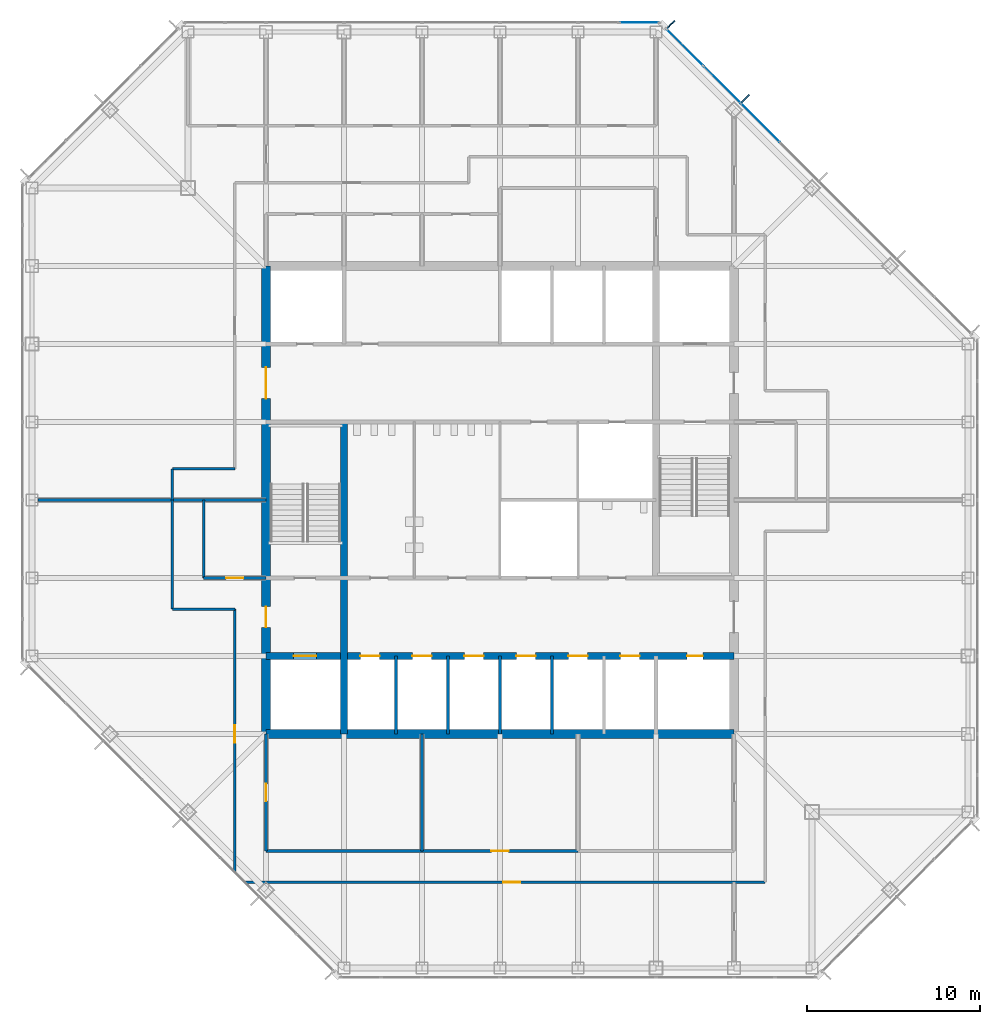
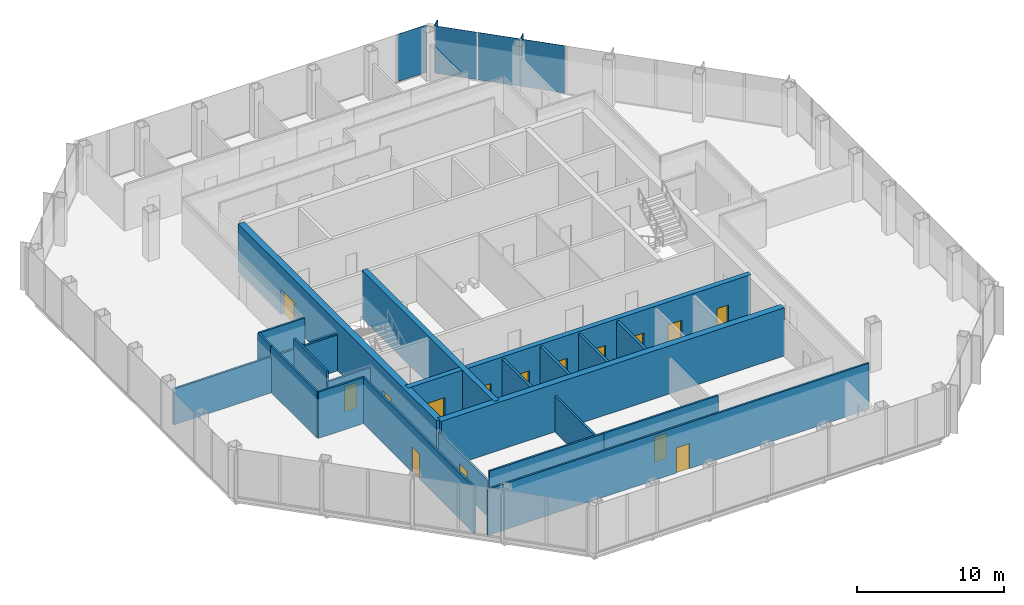
# One storey, part 8 of 13: 21 walls, 15 doors, 6 plates, 15 openings, 2 elements without a shape of their own.
"""IFC4 building model written with IfcOpenShell, lengths in metres."""

from ifc_helpers import new_model, si_unit, direction, frame, frame_2d, origin, origin_2d, place, context, subcontext, project, spatial, rectangle, extrude, material, layer, layer_set, type_object, element, fill, aggregate, save


model = new_model("IFC4")

# Units and contexts
model_context = context("Model", 3, precision=1e-05, world=origin(), true_north=direction((0.0, 1.0)))
body_context = subcontext(model_context, "Body", "Model", "MODEL_VIEW")
ifc_project = project(units=[si_unit("LENGTHUNIT", "METRE"), si_unit("AREAUNIT", "SQUARE_METRE"), si_unit("VOLUMEUNIT", "CUBIC_METRE"), si_unit("PLANEANGLEUNIT", "RADIAN"), si_unit("MASSUNIT", "GRAM", prefix="KILO")], contexts=[model_context])

# Site, building, storey
site_placement = place(None, origin())
site = spatial("IfcSite", under=ifc_project, at=site_placement, CompositionType="ELEMENT")
building_placement = place(site_placement, origin())
building = spatial("IfcBuilding", under=site, at=building_placement, Name="Corais Broadcast Tower", CompositionType="ELEMENT")
storey_placement = place(building_placement, frame((0.0, 0.0, 171.60009765625)))
storey = spatial("IfcBuildingStorey", under=building, at=storey_placement, Name="L39", CompositionType="ELEMENT", Elevation=171.60009765625)

# Curtain wall, plates
ifc_material_1 = material(Name="Aluminium and glass", Category="aluminium")
curtain_wall_type = type_object("IfcCurtainWallType", Name="Unitised fritted curtain wall CW2", PredefinedType="NOTDEFINED", material=ifc_material_1)
curtain_wall_1_placement = place(storey_placement, origin())
curtain_wall_1 = element("IfcCurtainWall", 1, at=curtain_wall_1_placement, inside=storey, type_object=curtain_wall_type, Name="CW2 curtain wall L39 5", PredefinedType="NOTDEFINED")
ifc_material_2 = material(Name="Ceramic-fritted laminated glass", Category="glass")
ifc_layer_1 = layer(ifc_material_2, 0.028076171875)
ifc_layer_set_1 = layer_set([ifc_layer_1], Name="Ceramic-fritted laminated glass")
plate_type_1 = type_object("IfcPlateType", Name="Fritted glass panel CW2", PredefinedType="CURTAIN_PANEL", material=ifc_layer_set_1)
plate_1_placement = place(storey_placement, frame((37.669677734375, 53.108154296875, 0.06494140625), z_axis=(0.0, 0.0, 1.0), x_axis=(0.707106781187, -0.707106781187, 0.0)))
plate_1 = element("IfcPlate", 2, at=plate_1_placement, type_object=plate_type_1, Name="CW2 panel 1", PredefinedType="CURTAIN_PANEL", context=body_context, shape_type="SweptSolid", body=[
    extrude(rectangle(XDim=2.9482421875, YDim=0.028076171875, at=origin_2d()), origin(), (0.0, 0.0, 1.0), 3.93505859375),
])
plate_2_placement = place(storey_placement, frame((42.013916015625, 48.763916015625, 0.06494140625), z_axis=(0.0, 0.0, 1.0), x_axis=(0.707106781187, -0.707106781187, 0.0)))
plate_2 = element("IfcPlate", 3, at=plate_2_placement, type_object=plate_type_1, Name="CW2 panel 3", PredefinedType="CURTAIN_PANEL", context=body_context, shape_type="SweptSolid", body=[
    extrude(rectangle(XDim=3.116943359375, YDim=0.028076171875, at=origin_2d()), origin(), (0.0, 0.0, 1.0), 3.93505859375),
])

# Curtain wall, plate
curtain_wall_2_placement = place(storey_placement, origin())
curtain_wall_2 = element("IfcCurtainWall", 4, at=curtain_wall_2_placement, inside=storey, type_object=curtain_wall_type, Name="CW2 curtain wall L39 4", PredefinedType="NOTDEFINED")
ifc_material_3 = material(Name="Clear laminated glass", Category="glass")
ifc_layer_2 = layer(ifc_material_3, 0.031982421875)
ifc_layer_set_2 = layer_set([ifc_layer_2], Name="Clear laminated glass")
plate_type_2 = type_object("IfcPlateType", Name="Operable glass panel CW2", PredefinedType="CURTAIN_PANEL", material=ifc_layer_set_2)
plate_3_placement = place(storey_placement, frame((35.029541015625, 54.550048828125, 0.06494140625), z_axis=(0.0, 0.0, 1.0), x_axis=(1.0, 0.0, 0.0)))
plate_3 = element("IfcPlate", 5, at=plate_3_placement, type_object=plate_type_2, Name="CW2 operable panel 8", PredefinedType="CURTAIN_PANEL", context=body_context, shape_type="SweptSolid", body=[
    extrude(rectangle(XDim=2.266357421875, YDim=0.031982421875, at=origin_2d()), origin(), (0.0, 0.0, 1.0), 3.93505859375),
])
aggregate(curtain_wall_2, [plate_3])

# Plate
plate_4_placement = place(storey_placement, frame((39.81201171875, 50.9658203125, 0.06494140625), z_axis=(0.0, 0.0, 1.0), x_axis=(0.707106781187, -0.707106781187, 0.0)))
plate_4 = element("IfcPlate", 6, at=plate_4_placement, type_object=plate_type_2, Name="CW2 operable panel 2", PredefinedType="CURTAIN_PANEL", context=body_context, shape_type="SweptSolid", body=[
    extrude(rectangle(XDim=2.98095703125, YDim=0.031982421875, at=origin_2d()), origin(), (0.0, 0.0, 1.0), 3.93505859375),
])

aggregate(curtain_wall_1, [plate_1, plate_4, plate_2])

# Plates
ifc_material_4 = material(Name="Granite stone cladding", Category="masonry")
ifc_layer_3 = layer(ifc_material_4, 0.080078125)
ifc_layer_set_3 = layer_set([ifc_layer_3], Name="Granite stone cladding")
plate_type_3 = type_object("IfcPlateType", Name="Stone screen fin 80x600", PredefinedType="USERDEFINED", material=ifc_layer_set_3)
for number, where, z_axis, x_axis, name in (
    (7, (36.8779296875, 54.447021484375, 0.0), (0.0, 0.0, 1.0), (0.707106781187, -0.707106781187, 0.0), "SF1 stone screen fin L39"),
    (8, (41.16259765625, 50.16259765625, 0.0), (0.0, 0.0, 1.0), (0.707106781187, -0.707106781187, 0.0), "SF1 stone screen fin L39"),
):
    element("IfcPlate", number, at=place(storey_placement, frame(where, z_axis=z_axis, x_axis=x_axis)), inside=storey, type_object=plate_type_3, Name=name, ObjectType="STONE SCREEN FIN", PredefinedType="USERDEFINED", context=body_context, shape_type="SweptSolid", body=[
        extrude(rectangle(XDim=0.080078125, YDim=0.60009765625, at=origin_2d()), origin(), (0.0, 0.0, 1.0), 4.0),
    ])

# Wall
ifc_material_5 = material(Name="Concrete C50/60", Category="concrete")
ifc_layer_4 = layer(ifc_material_5, 0.39990234375)
ifc_layer_set_4 = layer_set([ifc_layer_4], Name="Concrete C50/60")
wall_type_1 = type_object("IfcWallType", Name="Core wall 400", PredefinedType="SHEAR", material=ifc_layer_set_4)
wall_1_placement = place(storey_placement, frame((18.0, 13.5, 0.0), z_axis=(0.0, 0.0, 1.0), x_axis=(0.0, 1.0, 0.0)))
element("IfcWall", 9, at=wall_1_placement, inside=storey, type_object=wall_type_1, Name="CR400 core wall X18A L39", PredefinedType="SHEAR", context=body_context, shape_type="SweptSolid", body=[
    extrude(rectangle(XDim=18.0, YDim=0.39990234375, at=frame_2d((9.0, 0.0))), origin(), (0.0, 0.0, 1.0), 4.0),
])

# Wall, openings, doors
wall_2_placement = place(storey_placement, frame((13.5, 18.0, 0.0), z_axis=(0.0, 0.0, 1.0), x_axis=(1.0, 0.0, 0.0)))
wall_2 = element("IfcWall", 10, at=wall_2_placement, inside=storey, type_object=wall_type_1, Name="CR400 core wall Y18 L39", PredefinedType="SHEAR", context=body_context, shape_type="SweptSolid", body=[
    extrude(rectangle(XDim=27.0, YDim=0.39990234375, at=frame_2d((13.5, 0.0))), origin(), (0.0, 0.0, 1.0), 4.0),
])
opening_1_placement = place(wall_2_placement, frame((24.300048828125, 0.0, 0.0)))
opening_1 = element("IfcOpeningElement", 11, at=opening_1_placement, cuts=wall_2, Name="Opening RD1", PredefinedType="OPENING", context=body_context, shape_type="SweptSolid", body=[
    extrude(rectangle(XDim=0.89990234375, YDim=2.10009765625, at=frame_2d((0.449951171875, 1.050048828125))), frame((0.0, 0.2099609375, 0.0), z_axis=(0.0, -1.0, 0.0), x_axis=(1.0, 0.0, 0.0)), (0.0, 0.0, 1.0), 0.419921875),
])
opening_2_placement = place(wall_2_placement, frame((5.449951171875, 0.0, 0.0)))
opening_2 = element("IfcOpeningElement", 12, at=opening_2_placement, cuts=wall_2, Name="Opening LD1", PredefinedType="OPENING", context=body_context, shape_type="SweptSolid", body=[
    extrude(rectangle(XDim=1.10009765625, YDim=2.10009765625, at=frame_2d((0.550048828125, 1.050048828125))), frame((0.0, 0.2099609375, 0.0), z_axis=(0.0, -1.0, 0.0), x_axis=(1.0, 0.0, 0.0)), (0.0, 0.0, 1.0), 0.419921875),
])
opening_3_placement = place(wall_2_placement, frame((8.449951171875, 0.0, 0.0)))
opening_3 = element("IfcOpeningElement", 13, at=opening_3_placement, cuts=wall_2, Name="Opening LD1", PredefinedType="OPENING", context=body_context, shape_type="SweptSolid", body=[
    extrude(rectangle(XDim=1.10009765625, YDim=2.10009765625, at=frame_2d((0.550048828125, 1.050048828125))), frame((0.0, 0.2099609375, 0.0), z_axis=(0.0, -1.0, 0.0), x_axis=(1.0, 0.0, 0.0)), (0.0, 0.0, 1.0), 0.419921875),
])
opening_4_placement = place(wall_2_placement, frame((11.449951171875, 0.0, 0.0)))
opening_4 = element("IfcOpeningElement", 14, at=opening_4_placement, cuts=wall_2, Name="Opening LD1", PredefinedType="OPENING", context=body_context, shape_type="SweptSolid", body=[
    extrude(rectangle(XDim=1.10009765625, YDim=2.10009765625, at=frame_2d((0.550048828125, 1.050048828125))), frame((0.0, 0.2099609375, 0.0), z_axis=(0.0, -1.0, 0.0), x_axis=(1.0, 0.0, 0.0)), (0.0, 0.0, 1.0), 0.419921875),
])
opening_5_placement = place(wall_2_placement, frame((14.449951171875, 0.0, 0.0)))
opening_5 = element("IfcOpeningElement", 15, at=opening_5_placement, cuts=wall_2, Name="Opening LD1", PredefinedType="OPENING", context=body_context, shape_type="SweptSolid", body=[
    extrude(rectangle(XDim=1.10009765625, YDim=2.10009765625, at=frame_2d((0.550048828125, 1.050048828125))), frame((0.0, 0.2099609375, 0.0), z_axis=(0.0, -1.0, 0.0), x_axis=(1.0, 0.0, 0.0)), (0.0, 0.0, 1.0), 0.419921875),
])
opening_6_placement = place(wall_2_placement, frame((17.449951171875, 0.0, 0.0)))
opening_6 = element("IfcOpeningElement", 16, at=opening_6_placement, cuts=wall_2, Name="Opening LD1", PredefinedType="OPENING", context=body_context, shape_type="SweptSolid", body=[
    extrude(rectangle(XDim=1.10009765625, YDim=2.10009765625, at=frame_2d((0.550048828125, 1.050048828125))), frame((0.0, 0.2099609375, 0.0), z_axis=(0.0, -1.0, 0.0), x_axis=(1.0, 0.0, 0.0)), (0.0, 0.0, 1.0), 0.419921875),
])
opening_7_placement = place(wall_2_placement, frame((20.449951171875, 0.0, 0.0)))
opening_7 = element("IfcOpeningElement", 17, at=opening_7_placement, cuts=wall_2, Name="Opening LD1", PredefinedType="OPENING", context=body_context, shape_type="SweptSolid", body=[
    extrude(rectangle(XDim=1.10009765625, YDim=2.10009765625, at=frame_2d((0.550048828125, 1.050048828125))), frame((0.0, 0.2099609375, 0.0), z_axis=(0.0, -1.0, 0.0), x_axis=(1.0, 0.0, 0.0)), (0.0, 0.0, 1.0), 0.419921875),
])
opening_8_placement = place(wall_2_placement, frame((1.60009765625, 0.0, 0.0)))
opening_8 = element("IfcOpeningElement", 18, at=opening_8_placement, cuts=wall_2, Name="Opening LD2", PredefinedType="OPENING", context=body_context, shape_type="SweptSolid", body=[
    extrude(rectangle(XDim=1.300048828125, YDim=2.199951171875, at=frame_2d((0.64990234375, 1.10009765625))), frame((0.0, 0.2099609375, 0.0), z_axis=(0.0, -1.0, 0.0), x_axis=(1.0, 0.0, 0.0)), (0.0, 0.0, 1.0), 0.419921875),
])
ifc_material_6 = material(Name="Stainless steel lift door", Category="steel")
door_type_1 = type_object("IfcDoorType", Name="Lift landing door 1100x2100", OperationType="SLIDING_TO_LEFT", PredefinedType="DOOR", material=ifc_material_6)
door_1_placement = place(opening_2_placement, origin())
door_1 = element("IfcDoor", 19, at=door_1_placement, inside=storey, type_object=door_type_1, Name="LD1 PM1 landing door L39", OperationType="SLIDING_TO_LEFT", OverallHeight=2.10009765625, OverallWidth=1.10009765625, PredefinedType="DOOR", context=body_context, shape_type="SweptSolid", body=[
    extrude(rectangle(XDim=1.10009765625, YDim=2.10009765625, at=frame_2d((0.550048828125, 1.050048828125))), frame((0.0, 0.02490234375, 0.0), z_axis=(0.0, -1.0, 0.0), x_axis=(1.0, 0.0, 0.0)), (0.0, 0.0, 1.0), 0.050048828125),
])
fill(opening_2, door_1)
door_2_placement = place(opening_3_placement, origin())
door_2 = element("IfcDoor", 20, at=door_2_placement, inside=storey, type_object=door_type_1, Name="LD1 PM2 landing door L39", OperationType="SLIDING_TO_LEFT", OverallHeight=2.10009765625, OverallWidth=1.10009765625, PredefinedType="DOOR", context=body_context, shape_type="SweptSolid", body=[
    extrude(rectangle(XDim=1.10009765625, YDim=2.10009765625, at=frame_2d((0.550048828125, 1.050048828125))), frame((0.0, 0.02490234375, 0.0), z_axis=(0.0, -1.0, 0.0), x_axis=(1.0, 0.0, 0.0)), (0.0, 0.0, 1.0), 0.050048828125),
])
fill(opening_3, door_2)
door_3_placement = place(opening_4_placement, origin())
door_3 = element("IfcDoor", 21, at=door_3_placement, inside=storey, type_object=door_type_1, Name="LD1 PM3 landing door L39", OperationType="SLIDING_TO_LEFT", OverallHeight=2.10009765625, OverallWidth=1.10009765625, PredefinedType="DOOR", context=body_context, shape_type="SweptSolid", body=[
    extrude(rectangle(XDim=1.10009765625, YDim=2.10009765625, at=frame_2d((0.550048828125, 1.050048828125))), frame((0.0, 0.02490234375, 0.0), z_axis=(0.0, -1.0, 0.0), x_axis=(1.0, 0.0, 0.0)), (0.0, 0.0, 1.0), 0.050048828125),
])
fill(opening_4, door_3)
door_4_placement = place(opening_5_placement, origin())
door_4 = element("IfcDoor", 22, at=door_4_placement, inside=storey, type_object=door_type_1, Name="LD1 PM4 landing door L39", OperationType="SLIDING_TO_LEFT", OverallHeight=2.10009765625, OverallWidth=1.10009765625, PredefinedType="DOOR", context=body_context, shape_type="SweptSolid", body=[
    extrude(rectangle(XDim=1.10009765625, YDim=2.10009765625, at=frame_2d((0.550048828125, 1.050048828125))), frame((0.0, 0.02490234375, 0.0), z_axis=(0.0, -1.0, 0.0), x_axis=(1.0, 0.0, 0.0)), (0.0, 0.0, 1.0), 0.050048828125),
])
fill(opening_5, door_4)
door_5_placement = place(opening_6_placement, origin())
door_5 = element("IfcDoor", 23, at=door_5_placement, inside=storey, type_object=door_type_1, Name="LD1 PM5 landing door L39", OperationType="SLIDING_TO_LEFT", OverallHeight=2.10009765625, OverallWidth=1.10009765625, PredefinedType="DOOR", context=body_context, shape_type="SweptSolid", body=[
    extrude(rectangle(XDim=1.10009765625, YDim=2.10009765625, at=frame_2d((0.550048828125, 1.050048828125))), frame((0.0, 0.02490234375, 0.0), z_axis=(0.0, -1.0, 0.0), x_axis=(1.0, 0.0, 0.0)), (0.0, 0.0, 1.0), 0.050048828125),
])
fill(opening_6, door_5)
door_6_placement = place(opening_7_placement, origin())
door_6 = element("IfcDoor", 24, at=door_6_placement, inside=storey, type_object=door_type_1, Name="LD1 PM6 landing door L39", OperationType="SLIDING_TO_LEFT", OverallHeight=2.10009765625, OverallWidth=1.10009765625, PredefinedType="DOOR", context=body_context, shape_type="SweptSolid", body=[
    extrude(rectangle(XDim=1.10009765625, YDim=2.10009765625, at=frame_2d((0.550048828125, 1.050048828125))), frame((0.0, 0.02490234375, 0.0), z_axis=(0.0, -1.0, 0.0), x_axis=(1.0, 0.0, 0.0)), (0.0, 0.0, 1.0), 0.050048828125),
])
fill(opening_7, door_6)
ifc_material_7 = material(Name="Stainless steel lift door", Category="steel")
door_type_2 = type_object("IfcDoorType", Name="Lift landing door 1300x2200", OperationType="SLIDING_TO_LEFT", PredefinedType="DOOR", material=ifc_material_7)
door_7_placement = place(opening_8_placement, origin())
door_7 = element("IfcDoor", 25, at=door_7_placement, inside=storey, type_object=door_type_2, Name="LD2 FL1 landing door L39", OperationType="SLIDING_TO_LEFT", OverallHeight=2.199951171875, OverallWidth=1.300048828125, PredefinedType="DOOR", context=body_context, shape_type="SweptSolid", body=[
    extrude(rectangle(XDim=1.300048828125, YDim=2.199951171875, at=frame_2d((0.64990234375, 1.10009765625))), frame((0.0, 0.02490234375, 0.0), z_axis=(0.0, -1.0, 0.0), x_axis=(1.0, 0.0, 0.0)), (0.0, 0.0, 1.0), 0.050048828125),
])
fill(opening_8, door_7)
ifc_material_8 = material(Name="Steel fire door", Category="steel")
door_type_3 = type_object("IfcDoorType", Name="Riser door 900x2100", OperationType="SINGLE_SWING_LEFT", PredefinedType="DOOR", material=ifc_material_8)
door_8_placement = place(opening_1_placement, origin())
door_8 = element("IfcDoor", 26, at=door_8_placement, inside=storey, type_object=door_type_3, Name="RD1 riser door L39", OperationType="SINGLE_SWING_RIGHT", OverallHeight=2.10009765625, OverallWidth=0.89990234375, PredefinedType="DOOR", context=body_context, shape_type="SweptSolid", body=[
    extrude(rectangle(XDim=0.89990234375, YDim=2.10009765625, at=frame_2d((0.449951171875, 1.050048828125))), frame((0.0, 0.02490234375, 0.0), z_axis=(0.0, -1.0, 0.0), x_axis=(1.0, 0.0, 0.0)), (0.0, 0.0, 1.0), 0.050048828125),
])
fill(opening_1, door_8)

# Wall
ifc_material_9 = material(Name="Concrete C50/60", Category="concrete")
ifc_layer_5 = layer(ifc_material_9, 0.5)
ifc_layer_set_5 = layer_set([ifc_layer_5], Name="Concrete C50/60")
wall_type_2 = type_object("IfcWallType", Name="Core wall 500", PredefinedType="SHEAR", material=ifc_layer_set_5)
wall_3_placement = place(storey_placement, frame((13.5, 13.5, 0.0), z_axis=(0.0, 0.0, 1.0), x_axis=(1.0, 0.0, 0.0)))
element("IfcWall", 27, at=wall_3_placement, inside=storey, type_object=wall_type_2, Name="CR500 core wall S L39", PredefinedType="SHEAR", context=body_context, shape_type="SweptSolid", body=[
    extrude(rectangle(XDim=27.0, YDim=0.5, at=frame_2d((13.5, 0.0))), origin(), (0.0, 0.0, 1.0), 4.0),
])

# Wall, openings, doors
wall_4_placement = place(storey_placement, frame((13.5, 40.5, 0.0), z_axis=(0.0, 0.0, 1.0), x_axis=(0.0, -1.0, 0.0)))
wall_4 = element("IfcWall", 28, at=wall_4_placement, inside=storey, type_object=wall_type_2, Name="CR500 core wall W L39", PredefinedType="SHEAR", context=body_context, shape_type="SweptSolid", body=[
    extrude(rectangle(XDim=27.0, YDim=0.5, at=frame_2d((13.5, 0.0))), origin(), (0.0, 0.0, 1.0), 4.0),
])
opening_9_placement = place(wall_4_placement, frame((19.64990234375, 0.0, 0.0)))
opening_9 = element("IfcOpeningElement", 29, at=opening_9_placement, cuts=wall_4, Name="Opening FD1", PredefinedType="OPENING", context=body_context, shape_type="SweptSolid", body=[
    extrude(rectangle(XDim=1.199951171875, YDim=2.10009765625, at=frame_2d((0.60009765625, 1.050048828125))), frame((0.0, 0.260009765625, 0.0), z_axis=(0.0, -1.0, 0.0), x_axis=(1.0, 0.0, 0.0)), (0.0, 0.0, 1.0), 0.52001953125),
])
opening_10_placement = place(wall_4_placement, frame((5.85009765625, 0.0, 0.0)))
opening_10 = element("IfcOpeningElement", 30, at=opening_10_placement, cuts=wall_4, Name="Opening FD2", PredefinedType="OPENING", context=body_context, shape_type="SweptSolid", body=[
    extrude(rectangle(XDim=1.800048828125, YDim=2.10009765625, at=frame_2d((0.89990234375, 1.050048828125))), frame((0.0, 0.260009765625, 0.0), z_axis=(0.0, -1.0, 0.0), x_axis=(1.0, 0.0, 0.0)), (0.0, 0.0, 1.0), 0.52001953125),
])
ifc_material_10 = material(Name="Steel fire door", Category="steel")
door_type_4 = type_object("IfcDoorType", Name="Fire door 1200x2100", OperationType="SINGLE_SWING_LEFT", PredefinedType="DOOR", material=ifc_material_10)
door_9_placement = place(opening_9_placement, origin())
door_9 = element("IfcDoor", 31, at=door_9_placement, inside=storey, type_object=door_type_4, Name="FD1 fire lobby A door L39", OperationType="SINGLE_SWING_RIGHT", OverallHeight=2.10009765625, OverallWidth=1.199951171875, PredefinedType="DOOR", context=body_context, shape_type="SweptSolid", body=[
    extrude(rectangle(XDim=1.199951171875, YDim=2.10009765625, at=frame_2d((0.60009765625, 1.050048828125))), frame((0.0, 0.02490234375, 0.0), z_axis=(0.0, -1.0, 0.0), x_axis=(1.0, 0.0, 0.0)), (0.0, 0.0, 1.0), 0.050048828125),
])
fill(opening_9, door_9)
ifc_material_11 = material(Name="Steel fire door", Category="steel")
door_type_5 = type_object("IfcDoorType", Name="Fire door pair 1800x2100", OperationType="DOUBLE_DOOR_SINGLE_SWING", PredefinedType="DOOR", material=ifc_material_11)
door_10_placement = place(opening_10_placement, origin())
door_10 = element("IfcDoor", 32, at=door_10_placement, inside=storey, type_object=door_type_5, Name="FD2 lift lobby door L39", OperationType="SINGLE_SWING_LEFT", OverallHeight=2.10009765625, OverallWidth=1.800048828125, PredefinedType="DOOR", context=body_context, shape_type="SweptSolid", body=[
    extrude(rectangle(XDim=1.800048828125, YDim=2.10009765625, at=frame_2d((0.89990234375, 1.050048828125))), frame((0.0, 0.02490234375, 0.0), z_axis=(0.0, -1.0, 0.0), x_axis=(1.0, 0.0, 0.0)), (0.0, 0.0, 1.0), 0.050048828125),
])
fill(opening_10, door_10)

# Walls
ifc_material_12 = material(Name="Two layers of fire-rated gypsum board each side on steel studs", Category="steel")
ifc_layer_6 = layer(ifc_material_12, 0.14990234375)
ifc_layer_set_6 = layer_set([ifc_layer_6], Name="Two layers of fire-rated gypsum board each side on steel studs")
wall_type_3 = type_object("IfcWallType", Name="Fire-rated partition 150 EI 60", PredefinedType="PARTITIONING", material=ifc_layer_set_6)
wall_5_placement = place(storey_placement, frame((0.360107421875, 27.0, 0.0), z_axis=(0.0, 0.0, 1.0), x_axis=(1.0, 0.0, 0.0)))
element("IfcWall", 33, at=wall_5_placement, inside=storey, type_object=wall_type_3, Name="IW7 tenancy wall L39", PredefinedType="PARTITIONING", context=body_context, shape_type="SweptSolid", body=[
    extrude(rectangle(XDim=13.139892578125, YDim=0.14990234375, at=frame_2d((6.56982421875, 0.0))), origin(), (0.0, 0.0, 1.0), 2.989013671875),
])
ifc_material_13 = material(Name="Gypsum board on steel studs", Category="steel")
ifc_layer_7 = layer(ifc_material_13, 0.14990234375)
ifc_layer_set_7 = layer_set([ifc_layer_7], Name="Gypsum board on steel studs")
wall_type_4 = type_object("IfcWallType", Name="Partition 150", PredefinedType="PARTITIONING", material=ifc_layer_set_7)
wall_6_placement = place(storey_placement, frame((11.699951171875, 28.800048828125, 0.0), z_axis=(0.0, 0.0, 1.0), x_axis=(-1.0, 0.0, 0.0)))
element("IfcWall", 34, at=wall_6_placement, inside=storey, type_object=wall_type_4, Name="IW3 corridor wall L39", PredefinedType="PARTITIONING", context=body_context, shape_type="SweptSolid", body=[
    extrude(rectangle(XDim=3.599853515625, YDim=0.14990234375, at=frame_2d((1.7998046875, 0.0))), origin(), (0.0, 0.0, 1.0), 3.83984375),
])
wall_7_placement = place(storey_placement, frame((8.10009765625, 28.800048828125, 0.0), z_axis=(0.0, 0.0, 1.0), x_axis=(0.0, -1.0, 0.0)))
element("IfcWall", 35, at=wall_7_placement, inside=storey, type_object=wall_type_4, Name="IW3 corridor wall L39", PredefinedType="PARTITIONING", context=body_context, shape_type="SweptSolid", body=[
    extrude(rectangle(XDim=1.799560546875, YDim=0.14990234375, at=frame_2d((0.89990234375, 0.0))), origin(), (0.0, 0.0, 1.0), 3.83984375),
])

# Wall, opening, door
wall_8_placement = place(storey_placement, frame((12.314697265625, 4.949951171875, 0.0), z_axis=(0.0, 0.0, 1.0), x_axis=(1.0, 0.0, 0.0)))
wall_8 = element("IfcWall", 36, at=wall_8_placement, inside=storey, type_object=wall_type_4, Name="IW3 corridor wall L39", PredefinedType="PARTITIONING", context=body_context, shape_type="SweptSolid", body=[
    extrude(rectangle(XDim=29.9853515625, YDim=0.14990234375, at=frame_2d((14.99267578125, 0.0))), origin(), (0.0, 0.0, 1.0), 3.83984375),
])
opening_11_placement = place(wall_8_placement, frame((14.8603515625, 0.0, 0.0)))
opening_11 = element("IfcOpeningElement", 37, at=opening_11_placement, cuts=wall_8, Name="Opening D1", PredefinedType="OPENING", context=body_context, shape_type="SweptSolid", body=[
    extrude(rectangle(XDim=1.0, YDim=2.10009765625, at=frame_2d((0.5, 1.050048828125))), frame((0.0, 0.0849609375, 0.0), z_axis=(0.0, -1.0, 0.0), x_axis=(1.0, 0.0, 0.0)), (0.0, 0.0, 1.0), 0.169921875),
])
ifc_material_14 = material(Name="Timber door", Category="wood")
door_type_6 = type_object("IfcDoorType", Name="Single door 1000x2100", OperationType="SINGLE_SWING_LEFT", PredefinedType="DOOR", material=ifc_material_14)
door_11_placement = place(opening_11_placement, origin())
door_11 = element("IfcDoor", 38, at=door_11_placement, inside=storey, type_object=door_type_6, Name="D1 workplace door L39", OperationType="SINGLE_SWING_RIGHT", OverallHeight=2.10009765625, OverallWidth=1.0, PredefinedType="DOOR", context=body_context, shape_type="SweptSolid", body=[
    extrude(rectangle(XDim=1.0, YDim=2.10009765625, at=frame_2d((0.5, 1.050048828125))), frame((0.0, 0.02490234375, 0.0), z_axis=(0.0, -1.0, 0.0), x_axis=(1.0, 0.0, 0.0)), (0.0, 0.0, 1.0), 0.050048828125),
])
fill(opening_11, door_11)

wall_9_placement = place(storey_placement, frame((11.699951171875, 20.699951171875, 0.0), z_axis=(0.0, 0.0, 1.0), x_axis=(0.0, -1.0, 0.0)))
wall_9 = element("IfcWall", 39, at=wall_9_placement, inside=storey, type_object=wall_type_4, Name="IW3 corridor wall L39", PredefinedType="PARTITIONING", context=body_context, shape_type="SweptSolid", body=[
    extrude(rectangle(XDim=15.13525390625, YDim=0.14990234375, at=frame_2d((7.567626953125, 0.0))), origin(), (0.0, 0.0, 1.0), 3.83984375),
])
opening_12_placement = place(wall_9_placement, frame((6.699951171875, 0.0, 0.0)))
opening_12 = element("IfcOpeningElement", 40, at=opening_12_placement, cuts=wall_9, Name="Opening D1", PredefinedType="OPENING", context=body_context, shape_type="SweptSolid", body=[
    extrude(rectangle(XDim=1.0, YDim=2.10009765625, at=frame_2d((0.5, 1.050048828125))), frame((0.0, 0.0849609375, 0.0), z_axis=(0.0, -1.0, 0.0), x_axis=(1.0, 0.0, 0.0)), (0.0, 0.0, 1.0), 0.169921875),
])
door_12_placement = place(opening_12_placement, origin())
door_12 = element("IfcDoor", 41, at=door_12_placement, inside=storey, type_object=door_type_6, Name="D1 workplace door L39", OperationType="SINGLE_SWING_LEFT", OverallHeight=2.10009765625, OverallWidth=1.0, PredefinedType="DOOR", context=body_context, shape_type="SweptSolid", body=[
    extrude(rectangle(XDim=1.0, YDim=2.10009765625, at=frame_2d((0.5, 1.050048828125))), frame((0.0, 0.02490234375, 0.0), z_axis=(0.0, -1.0, 0.0), x_axis=(1.0, 0.0, 0.0)), (0.0, 0.0, 1.0), 0.050048828125),
])
fill(opening_12, door_12)

# Walls
wall_10_placement = place(storey_placement, frame((8.10009765625, 26.99951171875, 0.0), z_axis=(0.0, 0.0, 1.0), x_axis=(0.0, -1.0, 0.0)))
element("IfcWall", 42, at=wall_10_placement, inside=storey, type_object=wall_type_4, Name="IW3 corridor wall L39", PredefinedType="PARTITIONING", context=body_context, shape_type="SweptSolid", body=[
    extrude(rectangle(XDim=6.299560546875, YDim=0.14990234375, at=frame_2d((3.14990234375, 0.0))), origin(), (0.0, 0.0, 1.0), 3.83984375),
])
wall_11_placement = place(storey_placement, frame((8.10009765625, 20.699951171875, 0.0), z_axis=(0.0, 0.0, 1.0), x_axis=(1.0, 0.0, 0.0)))
element("IfcWall", 43, at=wall_11_placement, inside=storey, type_object=wall_type_4, Name="IW3 corridor wall L39", PredefinedType="PARTITIONING", context=body_context, shape_type="SweptSolid", body=[
    extrude(rectangle(XDim=3.599853515625, YDim=0.14990234375, at=frame_2d((1.7998046875, 0.0))), origin(), (0.0, 0.0, 1.0), 3.83984375),
])
wall_12_placement = place(storey_placement, frame((13.5, 6.75, 0.0), z_axis=(0.0, 0.0, 1.0), x_axis=(1.0, 0.0, 0.0)))
element("IfcWall", 44, at=wall_12_placement, inside=storey, type_object=wall_type_4, Name="IW3 partition L39", PredefinedType="PARTITIONING", context=body_context, shape_type="SweptSolid", body=[
    extrude(rectangle(XDim=9.0, YDim=0.14990234375, at=frame_2d((4.5, 0.0))), origin(), (0.0, 0.0, 1.0), 3.83984375),
])
wall_13_placement = place(storey_placement, frame((22.5, 6.75, 0.0), z_axis=(0.0, 0.0, 1.0), x_axis=(0.0, 1.0, 0.0)))
element("IfcWall", 45, at=wall_13_placement, inside=storey, type_object=wall_type_4, Name="IW3 partition L39", PredefinedType="PARTITIONING", context=body_context, shape_type="SweptSolid", body=[
    extrude(rectangle(XDim=6.75, YDim=0.14990234375, at=frame_2d((3.375, 0.0))), origin(), (0.0, 0.0, 1.0), 2.989013671875),
])

# Wall, opening, door
wall_14_placement = place(storey_placement, frame((13.5, 13.5, 0.0), z_axis=(0.0, 0.0, 1.0), x_axis=(0.0, -1.0, 0.0)))
wall_14 = element("IfcWall", 46, at=wall_14_placement, inside=storey, type_object=wall_type_4, Name="IW3 partition L39", PredefinedType="PARTITIONING", context=body_context, shape_type="SweptSolid", body=[
    extrude(rectangle(XDim=6.75, YDim=0.14990234375, at=frame_2d((3.375, 0.0))), origin(), (0.0, 0.0, 1.0), 2.989013671875),
])
opening_13_placement = place(wall_14_placement, frame((2.875, 0.0, 0.0)))
opening_13 = element("IfcOpeningElement", 47, at=opening_13_placement, cuts=wall_14, Name="Opening D1", PredefinedType="OPENING", context=body_context, shape_type="SweptSolid", body=[
    extrude(rectangle(XDim=1.0, YDim=2.10009765625, at=frame_2d((0.5, 1.050048828125))), frame((0.0, 0.0849609375, 0.0), z_axis=(0.0, -1.0, 0.0), x_axis=(1.0, 0.0, 0.0)), (0.0, 0.0, 1.0), 0.169921875),
])
door_13_placement = place(opening_13_placement, origin())
door_13 = element("IfcDoor", 48, at=door_13_placement, inside=storey, type_object=door_type_6, Name="D1 Office door", OperationType="SINGLE_SWING_LEFT", OverallHeight=2.10009765625, OverallWidth=1.0, PredefinedType="DOOR", context=body_context, shape_type="SweptSolid", body=[
    extrude(rectangle(XDim=1.0, YDim=2.10009765625, at=frame_2d((0.5, 1.050048828125))), frame((0.0, 0.02490234375, 0.0), z_axis=(0.0, -1.0, 0.0), x_axis=(1.0, 0.0, 0.0)), (0.0, 0.0, 1.0), 0.050048828125),
])
fill(opening_13, door_13)

wall_15_placement = place(storey_placement, frame((22.5, 6.75, 0.0), z_axis=(0.0, 0.0, 1.0), x_axis=(1.0, 0.0, 0.0)))
wall_15 = element("IfcWall", 49, at=wall_15_placement, inside=storey, type_object=wall_type_4, Name="IW3 partition L39", PredefinedType="PARTITIONING", context=body_context, shape_type="SweptSolid", body=[
    extrude(rectangle(XDim=9.0, YDim=0.14990234375, at=frame_2d((4.5, 0.0))), origin(), (0.0, 0.0, 1.0), 3.83984375),
])
opening_14_placement = place(wall_15_placement, frame((4.0, 0.0, 0.0)))
opening_14 = element("IfcOpeningElement", 50, at=opening_14_placement, cuts=wall_15, Name="Opening D1", PredefinedType="OPENING", context=body_context, shape_type="SweptSolid", body=[
    extrude(rectangle(XDim=1.0, YDim=2.10009765625, at=frame_2d((0.5, 1.050048828125))), frame((0.0, 0.0849609375, 0.0), z_axis=(0.0, -1.0, 0.0), x_axis=(1.0, 0.0, 0.0)), (0.0, 0.0, 1.0), 0.169921875),
])
door_14_placement = place(opening_14_placement, origin())
door_14 = element("IfcDoor", 51, at=door_14_placement, inside=storey, type_object=door_type_6, Name="D1 Office door", OperationType="SINGLE_SWING_LEFT", OverallHeight=2.10009765625, OverallWidth=1.0, PredefinedType="DOOR", context=body_context, shape_type="SweptSolid", body=[
    extrude(rectangle(XDim=1.0, YDim=2.10009765625, at=frame_2d((0.5, 1.050048828125))), frame((0.0, 0.02490234375, 0.0), z_axis=(0.0, -1.0, 0.0), x_axis=(1.0, 0.0, 0.0)), (0.0, 0.0, 1.0), 0.050048828125),
])
fill(opening_14, door_14)

wall_16_placement = place(storey_placement, frame((9.89990234375, 22.5, 0.0), z_axis=(0.0, 0.0, 1.0), x_axis=(1.0, 0.0, 0.0)))
wall_16 = element("IfcWall", 52, at=wall_16_placement, inside=storey, type_object=wall_type_4, Name="IW3 partition L39", PredefinedType="PARTITIONING", context=body_context, shape_type="SweptSolid", body=[
    extrude(rectangle(XDim=3.60009765625, YDim=0.14990234375, at=frame_2d((1.800048828125, 0.0))), origin(), (0.0, 0.0, 1.0), 2.989013671875),
])
opening_15_placement = place(wall_16_placement, frame((1.300048828125, 0.0, 0.0)))
opening_15 = element("IfcOpeningElement", 53, at=opening_15_placement, cuts=wall_16, Name="Opening D1", PredefinedType="OPENING", context=body_context, shape_type="SweptSolid", body=[
    extrude(rectangle(XDim=1.0, YDim=2.10009765625, at=frame_2d((0.5, 1.050048828125))), frame((0.0, 0.0849609375, 0.0), z_axis=(0.0, -1.0, 0.0), x_axis=(1.0, 0.0, 0.0)), (0.0, 0.0, 1.0), 0.169921875),
])
door_15_placement = place(opening_15_placement, origin())
door_15 = element("IfcDoor", 54, at=door_15_placement, inside=storey, type_object=door_type_6, Name="D1 Pantry door", OperationType="SINGLE_SWING_LEFT", OverallHeight=2.10009765625, OverallWidth=1.0, PredefinedType="DOOR", context=body_context, shape_type="SweptSolid", body=[
    extrude(rectangle(XDim=1.0, YDim=2.10009765625, at=frame_2d((0.5, 1.050048828125))), frame((0.0, 0.02490234375, 0.0), z_axis=(0.0, -1.0, 0.0), x_axis=(1.0, 0.0, 0.0)), (0.0, 0.0, 1.0), 0.050048828125),
])
fill(opening_15, door_15)

# Walls
wall_17_placement = place(storey_placement, frame((9.89990234375, 27.0, 0.0), z_axis=(0.0, 0.0, 1.0), x_axis=(0.0, -1.0, 0.0)))
element("IfcWall", 55, at=wall_17_placement, inside=storey, type_object=wall_type_4, Name="IW3 partition L39", PredefinedType="PARTITIONING", context=body_context, shape_type="SweptSolid", body=[
    extrude(rectangle(XDim=4.5, YDim=0.14990234375, at=frame_2d((2.25, 0.0))), origin(), (0.0, 0.0, 1.0), 3.83984375),
])
ifc_material_15 = material(Name="Concrete blockwork class A, grouted, two-hour", Category="masonry")
ifc_layer_8 = layer(ifc_material_15, 0.199951171875)
ifc_layer_set_8 = layer_set([ifc_layer_8], Name="Concrete blockwork class A, grouted, two-hour")
wall_type_5 = type_object("IfcWallType", Name="Shaft wall 200", PredefinedType="PARTITIONING", material=ifc_layer_set_8)
for number, where, z_axis, x_axis, name in (
    (56, (21.0, 13.5, 0.0), (0.0, 0.0, 1.0), (0.0, 1.0, 0.0), "IW1 shaft wall L39"),
    (57, (24.0, 13.5, 0.0), (0.0, 0.0, 1.0), (0.0, 1.0, 0.0), "IW1 shaft wall L39"),
    (58, (27.0, 13.5, 0.0), (0.0, 0.0, 1.0), (0.0, 1.0, 0.0), "IW1 shaft wall L39"),
    (59, (30.0, 13.5, 0.0), (0.0, 0.0, 1.0), (0.0, 1.0, 0.0), "IW1 shaft wall L39"),
):
    element("IfcWall", number, at=place(storey_placement, frame(where, z_axis=z_axis, x_axis=x_axis)), inside=storey, type_object=wall_type_5, Name=name, PredefinedType="PARTITIONING", context=body_context, shape_type="SweptSolid", body=[
        extrude(rectangle(XDim=4.5, YDim=0.199951171875, at=frame_2d((2.25, 0.0))), origin(), (0.0, 0.0, 1.0), 3.83984375),
    ])

save(model, "model.ifc")
